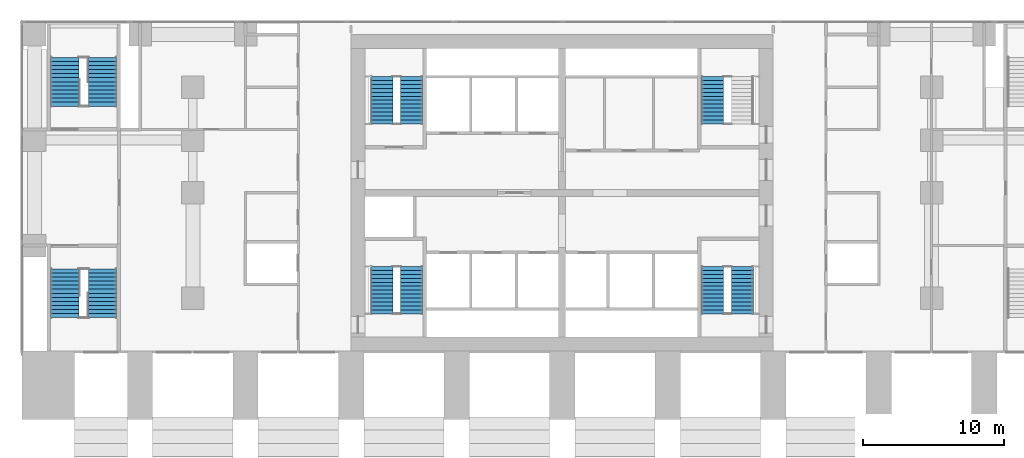
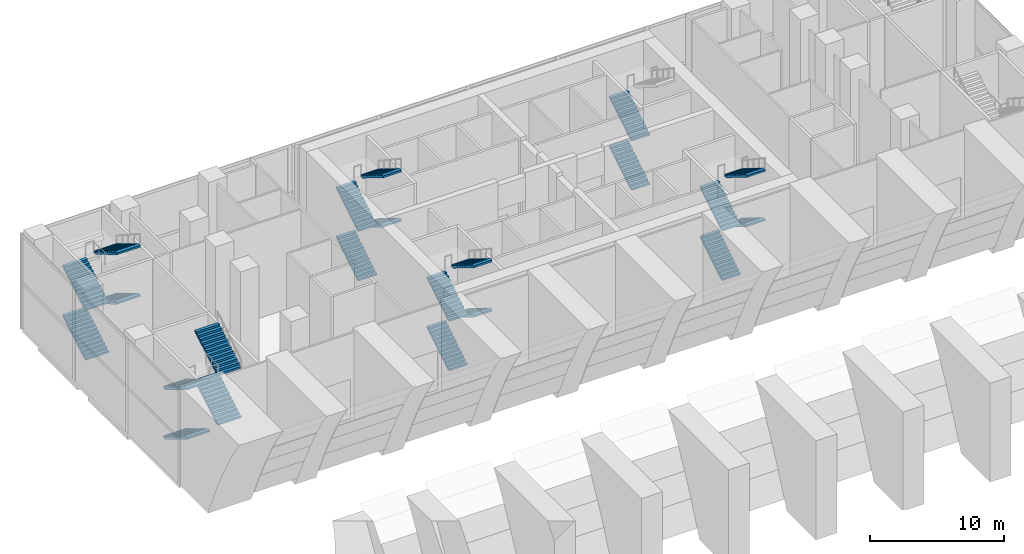
# One storey, part 9 of 14: 22 stair flights, 6 elements without a shape of their own.
"""IFC4 building model written with IfcOpenShell, lengths in metres."""

import ifcopenshell
import ifcopenshell.guid

model = None  # the IFC model being written
_history = None  # IfcOwnerHistory: only IFC2X3 demands one
_inside = {}  # id of a spatial element -> (the spatial element, [elements in it])
_under = {}  # id of a project, library or spatial element -> (it, [spatial elements below it])
_declared = {}  # id of a project -> (the project, [libraries it declares])
_typed = {}  # id of a type object -> (the type object, [elements of that type])
_made_of = {}  # id of a material, layer set ... -> (it, [elements and type objects made of it])


def new_model(schema):
    """Start an empty IFC model of exactly this schema.

    Asked for "IFC4X3", IfcOpenShell would pick the latest addendum, in which some entities
    have other attributes; the version numbers below select the first issue.
    IFC2X3 requires an IfcOwnerHistory on every rooted entity: one is made here for all.
    """
    global model, _history
    if schema == "IFC4X3":
        model = ifcopenshell.file(schema_version=(4, 3, 0, 0))
    else:
        model = ifcopenshell.file(schema=schema)
    _inside.clear()
    _under.clear()
    _declared.clear()
    _typed.clear()
    _made_of.clear()
    _history = None
    if model.schema == "IFC2X3":
        org = make("IfcOrganization", Name="unknown")
        user = make(
            "IfcPersonAndOrganization",
            ThePerson=make("IfcPerson", FamilyName="unknown"),
            TheOrganization=org,
        )
        app = make(
            "IfcApplication",
            ApplicationDeveloper=org,
            Version="unknown",
            ApplicationFullName="unknown",
            ApplicationIdentifier="unknown",
        )
        _history = make(
            "IfcOwnerHistory",
            OwningUser=user,
            OwningApplication=app,
            ChangeAction="ADDED",
            CreationDate=0,
        )
    return model


def make(cls, **values):
    """One entity of the class cls with the attributes given. An attribute that is None is left unset."""
    return model.create_entity(
        cls, **{name: value for name, value in values.items() if value is not None}
    )


def rooted(cls, **values):
    """An entity with a GlobalId (a new one), such as an element, a storey or a relation."""
    return make(cls, GlobalId=ifcopenshell.guid.new(), OwnerHistory=_history, **values)


def si_unit(unit_type, name, prefix=None):
    """IfcSIUnit, for example si_unit("LENGTHUNIT", "METRE", prefix="MILLI")."""
    return make("IfcSIUnit", UnitType=unit_type, Prefix=prefix, Name=name)


def assignment(units):
    """IfcUnitAssignment: the units of a project."""
    return None if units is None else make("IfcUnitAssignment", Units=units)


def point(xyz):
    """IfcCartesianPoint."""
    return None if xyz is None else make("IfcCartesianPoint", Coordinates=xyz)


def direction(xyz):
    """IfcDirection."""
    return None if xyz is None else make("IfcDirection", DirectionRatios=xyz)


def frame(location, z_axis=None, x_axis=None):
    """IfcAxis2Placement3D, a coordinate frame: its origin and axes. An axis left out is left unset."""
    return make(
        "IfcAxis2Placement3D",
        Location=point(location),
        Axis=direction(z_axis),
        RefDirection=direction(x_axis),
    )


def origin():
    """The frame at (0, 0, 0) with its axes left unset."""
    return frame((0.0, 0.0, 0.0))


def place(relative_to, where):
    """IfcLocalPlacement: puts the frame where relative to a parent placement (None: the world)."""
    return make(
        "IfcLocalPlacement", PlacementRelTo=relative_to, RelativePlacement=where
    )


def context(
    kind, dimensions, precision=None, world=None, true_north=None, identifier=None
):
    """IfcGeometricRepresentationContext, for example the 3D "Model" context."""
    return make(
        "IfcGeometricRepresentationContext",
        ContextIdentifier=identifier,
        ContextType=kind,
        CoordinateSpaceDimension=dimensions,
        Precision=precision,
        WorldCoordinateSystem=world,
        TrueNorth=true_north,
    )


def subcontext(parent, identifier, kind, view, scale=None):
    """IfcGeometricRepresentationSubContext, for example "Body" below "Model"."""
    return make(
        "IfcGeometricRepresentationSubContext",
        ContextIdentifier=identifier,
        ContextType=kind,
        ParentContext=parent,
        TargetScale=scale,
        TargetView=view,
    )


def project(units=None, contexts=None):
    """IfcProject with its units and contexts."""
    return rooted(
        "IfcProject",
        Name="project",
        RepresentationContexts=contexts,
        UnitsInContext=assignment(units),
    )


def spatial(cls, under=None, at=None, **own):
    """A site, building, storey or space (cls), placed at a placement, below another one or the project."""
    s = rooted(cls, ObjectPlacement=at, **own)
    if under is not None:
        _under.setdefault(under.id(), (under, []))[1].append(s)
    return s


def polyline(points):
    """IfcPolyline through the points."""
    return make("IfcPolyline", Points=[point(p) for p in points])


def outline(outer, holes=None, kind="AREA"):
    """IfcArbitraryClosedProfileDef: a profile drawn as a closed curve; with holes, ...WithVoids."""
    if holes is None:
        return make("IfcArbitraryClosedProfileDef", ProfileType=kind, OuterCurve=outer)
    return make(
        "IfcArbitraryProfileDefWithVoids",
        ProfileType=kind,
        OuterCurve=outer,
        InnerCurves=holes,
    )


def extrude(swept, where, along, depth):
    """IfcExtrudedAreaSolid: the profile swept, set in the frame where, extruded along a direction by depth."""
    return make(
        "IfcExtrudedAreaSolid",
        SweptArea=swept,
        Position=where,
        ExtrudedDirection=direction(along),
        Depth=depth,
    )


def shape(context_of_items, identifier, shape_type, items):
    """IfcShapeRepresentation: the items that make up one representation, for example the "Body"."""
    return make(
        "IfcShapeRepresentation",
        ContextOfItems=context_of_items,
        RepresentationIdentifier=identifier,
        RepresentationType=shape_type,
        Items=items,
    )


def material(Name=None, Category=None):
    """IfcMaterial."""
    return make("IfcMaterial", Name=Name, Category=Category)


def made_of(thing, what):
    """Note that an element or type object is made of a material, layer set ...; save() writes the relation."""
    if what is not None:
        _made_of.setdefault(what.id(), (what, []))[1].append(thing)
    return thing


def type_object(cls, material=None, **own):
    """A type object (cls), such as IfcWallType, which elements share."""
    return made_of(rooted(cls, **own), material)


def element(
    cls,
    number,
    at=None,
    inside=None,
    cuts=None,
    type_object=None,
    material=None,
    context=None,
    identifier="Body",
    shape_type=None,
    held_by="IfcProductDefinitionShape",
    body=None,
    shapes=None,
    **own,
):
    """One element of the class cls, such as IfcWall. Its Tag is "e" and its number.

    at: its placement. inside: the storey or other place that contains it. cuts: it is an
    opening in that element (IfcRelVoidsElement). A single representation is given by context,
    identifier, shape_type and body (its items); several are given by shapes. held_by: the class
    of the entity that holds the representations. save() writes the other relations.
    """
    e = rooted(cls, Tag="e%d" % number, ObjectPlacement=at, **own)
    if body is not None:
        shapes = [shape(context, identifier, shape_type, body)]
    if shapes is not None:
        e.Representation = make(held_by, Representations=shapes)
    if inside is not None:
        _inside.setdefault(inside.id(), (inside, []))[1].append(e)
    if cuts is not None:
        rooted(
            "IfcRelVoidsElement", RelatingBuildingElement=cuts, RelatedOpeningElement=e
        )
    if type_object is not None:
        _typed.setdefault(type_object.id(), (type_object, []))[1].append(e)
    return made_of(e, material)


def aggregate(whole, parts):
    """IfcRelAggregates: a whole, such as a stair, and the parts it consists of."""
    return rooted("IfcRelAggregates", RelatingObject=whole, RelatedObjects=parts)


def save(model, path):
    """Write the relations noted so far, then the file.

    IfcRelAggregates (storeys below a building ...), IfcRelContainedInSpatialStructure (elements
    in a storey), IfcRelDefinesByType, IfcRelAssociatesMaterial and IfcRelDeclares: one each for
    every whole, place, type object, material and project.
    """
    for whole, parts in _under.values():
        aggregate(whole, parts)
    for where, things in _inside.values():
        rooted(
            "IfcRelContainedInSpatialStructure",
            RelatedElements=things,
            RelatingStructure=where,
        )
    for kind, things in _typed.values():
        rooted("IfcRelDefinesByType", RelatedObjects=things, RelatingType=kind)
    for what, things in _made_of.values():
        rooted("IfcRelAssociatesMaterial", RelatedObjects=things, RelatingMaterial=what)
    for by, libraries in _declared.values():
        rooted("IfcRelDeclares", RelatingContext=by, RelatedDefinitions=libraries)
    model.write(path)


model = new_model("IFC4")

# Units and contexts
model_context = context("Model", 3, precision=1e-05, world=origin(), true_north=direction((0.0, 1.0)))
body_context = subcontext(model_context, "Body", "Model", "MODEL_VIEW")
ifc_project = project(units=[si_unit("LENGTHUNIT", "METRE"), si_unit("AREAUNIT", "SQUARE_METRE"), si_unit("VOLUMEUNIT", "CUBIC_METRE"), si_unit("PLANEANGLEUNIT", "RADIAN"), si_unit("MASSUNIT", "GRAM", prefix="KILO")], contexts=[model_context])

# Site, building, storey
site_placement = place(None, origin())
site = spatial("IfcSite", under=ifc_project, at=site_placement, CompositionType="ELEMENT")
building_placement = place(site_placement, origin())
building = spatial("IfcBuilding", under=site, at=building_placement, Name="Pilkhan Gate Tower", CompositionType="ELEMENT")
storey_placement = place(building_placement, frame((0.0, 0.0, 7.5)))
storey = spatial("IfcBuildingStorey", under=building, at=storey_placement, Name="L01", CompositionType="ELEMENT", Elevation=7.5)

# Stair, stair flights
ifc_material = material(Name="Concrete C40/50 precast", Category="concrete")
stair_type_1 = type_object("IfcStairType", Name="Stair PS1 173x290", PredefinedType="HALF_TURN_STAIR", material=ifc_material)
stair_1_placement = place(storey_placement, origin())
stair_1 = element("IfcStair", 1, at=stair_1_placement, inside=storey, type_object=stair_type_1, Name="Stair PS1 L01", PredefinedType="HALF_TURN_STAIR")
stair_flight_type_1 = type_object("IfcStairFlightType", Name="Stair flight PS1 173x290x13", PredefinedType="STRAIGHT", material=ifc_material)
stair_flight_1_placement = place(storey_placement, frame((39.64990234375, 88.64990234375, 0.0), z_axis=(0.0, 0.0, 1.0), x_axis=(0.0, 1.0, 0.0)))
stair_flight_1 = element("IfcStairFlight", 2, at=stair_flight_1_placement, type_object=stair_flight_type_1, Name="PS1 flight 1", NumberOfRisers=13, NumberOfTreads=12, PredefinedType="STRAIGHT", RiserHeight=0.173076923, TreadLength=0.29, context=body_context, shape_type="SweptSolid", body=[
    extrude(outline(polyline([(0.0, 0.0), (0.0, 0.173095703125), (0.2900390625, 0.173095703125), (0.2900390625, 0.34619140625), (0.580078125, 0.34619140625), (0.580078125, 0.519287109375), (0.8701171875, 0.519287109375), (0.8701171875, 0.6923828125), (1.159912109375, 0.6923828125), (1.159912109375, 0.865478515625), (1.449951171875, 0.865478515625), (1.449951171875, 1.03857421875), (1.739990234375, 1.03857421875), (1.739990234375, 1.21142578125), (2.030029296875, 1.21142578125), (2.030029296875, 1.384521484375), (2.320068359375, 1.384521484375), (2.320068359375, 1.5576171875), (2.610107421875, 1.5576171875), (2.610107421875, 1.730712890625), (2.89990234375, 1.730712890625), (2.89990234375, 1.90380859375), (3.18994140625, 1.90380859375), (3.18994140625, 2.076904296875), (3.47998046875, 2.076904296875), (3.47998046875, 2.25), (3.47998046875, 1.90234375), (0.29248046875, 0.0), (0.0, 0.0)])), frame((0.0, 1.0, 0.0), z_axis=(0.0, -1.0, 0.0), x_axis=(1.0, 0.0, 0.0)), (0.0, 0.0, 1.0), 2.0),
])
stair_flight_2_placement = place(storey_placement, frame((42.35009765625, 92.1298828125, 2.25), z_axis=(0.0, 0.0, 1.0), x_axis=(0.0, -1.0, 0.0)))
stair_flight_2 = element("IfcStairFlight", 3, at=stair_flight_2_placement, type_object=stair_flight_type_1, Name="PS1 flight 2", NumberOfRisers=13, NumberOfTreads=12, PredefinedType="STRAIGHT", RiserHeight=0.173076923, TreadLength=0.29, context=body_context, shape_type="SweptSolid", body=[
    extrude(outline(polyline([(0.0, 0.0), (0.0, 0.173095703125), (0.2900390625, 0.173095703125), (0.2900390625, 0.34619140625), (0.580078125, 0.34619140625), (0.580078125, 0.519287109375), (0.8701171875, 0.519287109375), (0.8701171875, 0.6923828125), (1.159912109375, 0.6923828125), (1.159912109375, 0.865478515625), (1.449951171875, 0.865478515625), (1.449951171875, 1.03857421875), (1.739990234375, 1.03857421875), (1.739990234375, 1.21142578125), (2.030029296875, 1.21142578125), (2.030029296875, 1.384521484375), (2.320068359375, 1.384521484375), (2.320068359375, 1.5576171875), (2.610107421875, 1.5576171875), (2.610107421875, 1.730712890625), (2.89990234375, 1.730712890625), (2.89990234375, 1.90380859375), (3.18994140625, 1.90380859375), (3.18994140625, 2.076904296875), (3.47998046875, 2.076904296875), (3.47998046875, 2.25), (3.47998046875, 1.90234375), (0.29248046875, 0.0), (0.0, 0.0)])), frame((0.0, 1.0, 0.0), z_axis=(0.0, -1.0, 0.0), x_axis=(1.0, 0.0, 0.0)), (0.0, 0.0, 1.0), 2.0),
])
stair_flight_3_placement = place(storey_placement, frame((39.64990234375, 88.64990234375, 4.5), z_axis=(0.0, 0.0, 1.0), x_axis=(0.0, 1.0, 0.0)))
stair_flight_3 = element("IfcStairFlight", 4, at=stair_flight_3_placement, type_object=stair_flight_type_1, Name="PS1 flight 3", NumberOfRisers=13, NumberOfTreads=12, PredefinedType="STRAIGHT", RiserHeight=0.173076923, TreadLength=0.29, context=body_context, shape_type="SweptSolid", body=[
    extrude(outline(polyline([(0.0, 0.0), (0.0, 0.173095703125), (0.2900390625, 0.173095703125), (0.2900390625, 0.34619140625), (0.580078125, 0.34619140625), (0.580078125, 0.519287109375), (0.8701171875, 0.519287109375), (0.8701171875, 0.6923828125), (1.159912109375, 0.6923828125), (1.159912109375, 0.865478515625), (1.449951171875, 0.865478515625), (1.449951171875, 1.03857421875), (1.739990234375, 1.03857421875), (1.739990234375, 1.21142578125), (2.030029296875, 1.21142578125), (2.030029296875, 1.384521484375), (2.320068359375, 1.384521484375), (2.320068359375, 1.5576171875), (2.610107421875, 1.5576171875), (2.610107421875, 1.730712890625), (2.89990234375, 1.730712890625), (2.89990234375, 1.90380859375), (3.18994140625, 1.90380859375), (3.18994140625, 2.076904296875), (3.47998046875, 2.076904296875), (3.47998046875, 2.25), (3.47998046875, 1.90234375), (0.29248046875, 0.0), (0.0, 0.0)])), frame((0.0, 1.0, 0.0), z_axis=(0.0, -1.0, 0.0), x_axis=(1.0, 0.0, 0.0)), (0.0, 0.0, 1.0), 2.0),
])
stair_flight_4_placement = place(storey_placement, frame((42.35009765625, 92.1298828125, 6.75), z_axis=(0.0, 0.0, 1.0), x_axis=(0.0, -1.0, 0.0)))
stair_flight_4 = element("IfcStairFlight", 5, at=stair_flight_4_placement, type_object=stair_flight_type_1, Name="PS1 flight 4", NumberOfRisers=13, NumberOfTreads=12, PredefinedType="STRAIGHT", RiserHeight=0.173076923, TreadLength=0.29, context=body_context, shape_type="SweptSolid", body=[
    extrude(outline(polyline([(0.0, 0.0), (0.0, 0.173095703125), (0.2900390625, 0.173095703125), (0.2900390625, 0.34619140625), (0.580078125, 0.34619140625), (0.580078125, 0.519287109375), (0.8701171875, 0.519287109375), (0.8701171875, 0.6923828125), (1.159912109375, 0.6923828125), (1.159912109375, 0.865478515625), (1.449951171875, 0.865478515625), (1.449951171875, 1.03857421875), (1.739990234375, 1.03857421875), (1.739990234375, 1.21142578125), (2.030029296875, 1.21142578125), (2.030029296875, 1.384521484375), (2.320068359375, 1.384521484375), (2.320068359375, 1.5576171875), (2.610107421875, 1.5576171875), (2.610107421875, 1.730712890625), (2.89990234375, 1.730712890625), (2.89990234375, 1.90380859375), (3.18994140625, 1.90380859375), (3.18994140625, 2.076904296875), (3.47998046875, 2.076904296875), (3.47998046875, 2.25), (3.47998046875, 1.90234375), (0.29248046875, 0.0), (0.0, 0.0)])), frame((0.0, 1.0, 0.0), z_axis=(0.0, -1.0, 0.0), x_axis=(1.0, 0.0, 0.0)), (0.0, 0.0, 1.0), 2.0),
])
aggregate(stair_1, [stair_flight_1, stair_flight_2, stair_flight_3, stair_flight_4])

stair_type_2 = type_object("IfcStairType", Name="Stair PS3 173x290", PredefinedType="HALF_TURN_STAIR", material=ifc_material)
stair_2_placement = place(storey_placement, origin())
stair_2 = element("IfcStair", 6, at=stair_2_placement, inside=storey, type_object=stair_type_2, Name="Stair PS3 L01", PredefinedType="HALF_TURN_STAIR")
stair_flight_type_2 = type_object("IfcStairFlightType", Name="Stair flight PS3 173x290x13", PredefinedType="STRAIGHT", material=ifc_material)
stair_flight_5_placement = place(storey_placement, frame((39.64990234375, 77.10009765625, 0.0), z_axis=(0.0, 0.0, 1.0), x_axis=(0.0, -1.0, 0.0)))
stair_flight_5 = element("IfcStairFlight", 7, at=stair_flight_5_placement, type_object=stair_flight_type_2, Name="PS3 flight 1", NumberOfRisers=13, NumberOfTreads=12, PredefinedType="STRAIGHT", RiserHeight=0.173076923, TreadLength=0.29, context=body_context, shape_type="SweptSolid", body=[
    extrude(outline(polyline([(0.0, 0.0), (0.0, 0.173095703125), (0.2900390625, 0.173095703125), (0.2900390625, 0.34619140625), (0.580078125, 0.34619140625), (0.580078125, 0.519287109375), (0.8701171875, 0.519287109375), (0.8701171875, 0.6923828125), (1.159912109375, 0.6923828125), (1.159912109375, 0.865478515625), (1.449951171875, 0.865478515625), (1.449951171875, 1.03857421875), (1.739990234375, 1.03857421875), (1.739990234375, 1.21142578125), (2.030029296875, 1.21142578125), (2.030029296875, 1.384521484375), (2.320068359375, 1.384521484375), (2.320068359375, 1.5576171875), (2.610107421875, 1.5576171875), (2.610107421875, 1.730712890625), (2.89990234375, 1.730712890625), (2.89990234375, 1.90380859375), (3.18994140625, 1.90380859375), (3.18994140625, 2.076904296875), (3.47998046875, 2.076904296875), (3.47998046875, 2.25), (3.47998046875, 1.90234375), (0.29248046875, 0.0), (0.0, 0.0)])), frame((0.0, 1.0, 0.0), z_axis=(0.0, -1.0, 0.0), x_axis=(1.0, 0.0, 0.0)), (0.0, 0.0, 1.0), 2.0),
])
stair_flight_6_placement = place(storey_placement, frame((42.35009765625, 73.6201171875, 2.25), z_axis=(0.0, 0.0, 1.0), x_axis=(0.0, 1.0, 0.0)))
stair_flight_6 = element("IfcStairFlight", 8, at=stair_flight_6_placement, type_object=stair_flight_type_2, Name="PS3 flight 2", NumberOfRisers=13, NumberOfTreads=12, PredefinedType="STRAIGHT", RiserHeight=0.173076923, TreadLength=0.29, context=body_context, shape_type="SweptSolid", body=[
    extrude(outline(polyline([(0.0, 0.0), (0.0, 0.173095703125), (0.2900390625, 0.173095703125), (0.2900390625, 0.34619140625), (0.580078125, 0.34619140625), (0.580078125, 0.519287109375), (0.8701171875, 0.519287109375), (0.8701171875, 0.6923828125), (1.159912109375, 0.6923828125), (1.159912109375, 0.865478515625), (1.449951171875, 0.865478515625), (1.449951171875, 1.03857421875), (1.739990234375, 1.03857421875), (1.739990234375, 1.21142578125), (2.030029296875, 1.21142578125), (2.030029296875, 1.384521484375), (2.320068359375, 1.384521484375), (2.320068359375, 1.5576171875), (2.610107421875, 1.5576171875), (2.610107421875, 1.730712890625), (2.89990234375, 1.730712890625), (2.89990234375, 1.90380859375), (3.18994140625, 1.90380859375), (3.18994140625, 2.076904296875), (3.47998046875, 2.076904296875), (3.47998046875, 2.25), (3.47998046875, 1.90234375), (0.29248046875, 0.0), (0.0, 0.0)])), frame((0.0, 1.0, 0.0), z_axis=(0.0, -1.0, 0.0), x_axis=(1.0, 0.0, 0.0)), (0.0, 0.0, 1.0), 2.0),
])
stair_flight_7_placement = place(storey_placement, frame((39.64990234375, 77.10009765625, 4.5), z_axis=(0.0, 0.0, 1.0), x_axis=(0.0, -1.0, 0.0)))
stair_flight_7 = element("IfcStairFlight", 9, at=stair_flight_7_placement, type_object=stair_flight_type_2, Name="PS3 flight 3", NumberOfRisers=13, NumberOfTreads=12, PredefinedType="STRAIGHT", RiserHeight=0.173076923, TreadLength=0.29, context=body_context, shape_type="SweptSolid", body=[
    extrude(outline(polyline([(0.0, 0.0), (0.0, 0.173095703125), (0.2900390625, 0.173095703125), (0.2900390625, 0.34619140625), (0.580078125, 0.34619140625), (0.580078125, 0.519287109375), (0.8701171875, 0.519287109375), (0.8701171875, 0.6923828125), (1.159912109375, 0.6923828125), (1.159912109375, 0.865478515625), (1.449951171875, 0.865478515625), (1.449951171875, 1.03857421875), (1.739990234375, 1.03857421875), (1.739990234375, 1.21142578125), (2.030029296875, 1.21142578125), (2.030029296875, 1.384521484375), (2.320068359375, 1.384521484375), (2.320068359375, 1.5576171875), (2.610107421875, 1.5576171875), (2.610107421875, 1.730712890625), (2.89990234375, 1.730712890625), (2.89990234375, 1.90380859375), (3.18994140625, 1.90380859375), (3.18994140625, 2.076904296875), (3.47998046875, 2.076904296875), (3.47998046875, 2.25), (3.47998046875, 1.90234375), (0.29248046875, 0.0), (0.0, 0.0)])), frame((0.0, 1.0, 0.0), z_axis=(0.0, -1.0, 0.0), x_axis=(1.0, 0.0, 0.0)), (0.0, 0.0, 1.0), 2.0),
])
stair_flight_8_placement = place(storey_placement, frame((42.35009765625, 73.6201171875, 6.75), z_axis=(0.0, 0.0, 1.0), x_axis=(0.0, 1.0, 0.0)))
stair_flight_8 = element("IfcStairFlight", 10, at=stair_flight_8_placement, type_object=stair_flight_type_2, Name="PS3 flight 4", NumberOfRisers=13, NumberOfTreads=12, PredefinedType="STRAIGHT", RiserHeight=0.173076923, TreadLength=0.29, context=body_context, shape_type="SweptSolid", body=[
    extrude(outline(polyline([(0.0, 0.0), (0.0, 0.173095703125), (0.2900390625, 0.173095703125), (0.2900390625, 0.34619140625), (0.580078125, 0.34619140625), (0.580078125, 0.519287109375), (0.8701171875, 0.519287109375), (0.8701171875, 0.6923828125), (1.159912109375, 0.6923828125), (1.159912109375, 0.865478515625), (1.449951171875, 0.865478515625), (1.449951171875, 1.03857421875), (1.739990234375, 1.03857421875), (1.739990234375, 1.21142578125), (2.030029296875, 1.21142578125), (2.030029296875, 1.384521484375), (2.320068359375, 1.384521484375), (2.320068359375, 1.5576171875), (2.610107421875, 1.5576171875), (2.610107421875, 1.730712890625), (2.89990234375, 1.730712890625), (2.89990234375, 1.90380859375), (3.18994140625, 1.90380859375), (3.18994140625, 2.076904296875), (3.47998046875, 2.076904296875), (3.47998046875, 2.25), (3.47998046875, 1.90234375), (0.29248046875, 0.0), (0.0, 0.0)])), frame((0.0, 1.0, 0.0), z_axis=(0.0, -1.0, 0.0), x_axis=(1.0, 0.0, 0.0)), (0.0, 0.0, 1.0), 2.0),
])
aggregate(stair_2, [stair_flight_5, stair_flight_6, stair_flight_7, stair_flight_8])

stair_type_3 = type_object("IfcStairType", Name="Stair ST1 173x280", PredefinedType="HALF_TURN_STAIR", material=ifc_material)
stair_3_placement = place(storey_placement, origin())
stair_3 = element("IfcStair", 11, at=stair_3_placement, inside=storey, type_object=stair_type_3, Name="Stair ST1 L01", PredefinedType="HALF_TURN_STAIR")
stair_flight_type_3 = type_object("IfcStairFlightType", Name="Stair flight ST1 173x280x13", PredefinedType="STRAIGHT", material=ifc_material)
stair_flight_9_placement = place(storey_placement, frame((85.68994140625, 73.89990234375, 0.0), z_axis=(0.0, 0.0, 1.0), x_axis=(0.0, 1.0, 0.0)))
stair_flight_9 = element("IfcStairFlight", 12, at=stair_flight_9_placement, type_object=stair_flight_type_3, Name="ST1 flight 1", NumberOfRisers=13, NumberOfTreads=12, PredefinedType="STRAIGHT", RiserHeight=0.173076923, TreadLength=0.28, context=body_context, shape_type="SweptSolid", body=[
    extrude(outline(polyline([(0.0, 0.0), (0.0, 0.173095703125), (0.280029296875, 0.173095703125), (0.280029296875, 0.34619140625), (0.56005859375, 0.34619140625), (0.56005859375, 0.519287109375), (0.840087890625, 0.519287109375), (0.840087890625, 0.6923828125), (1.1201171875, 0.6923828125), (1.1201171875, 0.865478515625), (1.39990234375, 0.865478515625), (1.39990234375, 1.03857421875), (1.679931640625, 1.03857421875), (1.679931640625, 1.21142578125), (1.9599609375, 1.21142578125), (1.9599609375, 1.384521484375), (2.239990234375, 1.384521484375), (2.239990234375, 1.5576171875), (2.52001953125, 1.5576171875), (2.52001953125, 1.730712890625), (2.800048828125, 1.730712890625), (2.800048828125, 1.90380859375), (3.080078125, 1.90380859375), (3.080078125, 2.076904296875), (3.360107421875, 2.076904296875), (3.360107421875, 2.25), (3.360107421875, 1.900634765625), (0.28515625, 0.0), (0.0, 0.0)])), frame((0.0, 0.7900390625, 0.0), z_axis=(0.0, -1.0, 0.0), x_axis=(1.0, 0.0, 0.0)), (0.0, 0.0, 1.0), 1.580078125),
])
stair_flight_10_placement = place(storey_placement, frame((87.81005859375, 77.260009765625, 2.25), z_axis=(0.0, 0.0, 1.0), x_axis=(0.0, -1.0, 0.0)))
stair_flight_10 = element("IfcStairFlight", 13, at=stair_flight_10_placement, type_object=stair_flight_type_3, Name="ST1 flight 2", NumberOfRisers=13, NumberOfTreads=12, PredefinedType="STRAIGHT", RiserHeight=0.173076923, TreadLength=0.28, context=body_context, shape_type="SweptSolid", body=[
    extrude(outline(polyline([(0.0, 0.0), (0.0, 0.173095703125), (0.280029296875, 0.173095703125), (0.280029296875, 0.34619140625), (0.56005859375, 0.34619140625), (0.56005859375, 0.519287109375), (0.840087890625, 0.519287109375), (0.840087890625, 0.6923828125), (1.1201171875, 0.6923828125), (1.1201171875, 0.865478515625), (1.39990234375, 0.865478515625), (1.39990234375, 1.03857421875), (1.679931640625, 1.03857421875), (1.679931640625, 1.21142578125), (1.9599609375, 1.21142578125), (1.9599609375, 1.384521484375), (2.239990234375, 1.384521484375), (2.239990234375, 1.5576171875), (2.52001953125, 1.5576171875), (2.52001953125, 1.730712890625), (2.800048828125, 1.730712890625), (2.800048828125, 1.90380859375), (3.080078125, 1.90380859375), (3.080078125, 2.076904296875), (3.360107421875, 2.076904296875), (3.360107421875, 2.25), (3.360107421875, 1.900634765625), (0.28515625, 0.0), (0.0, 0.0)])), frame((0.0, 0.7900390625, 0.0), z_axis=(0.0, -1.0, 0.0), x_axis=(1.0, 0.0, 0.0)), (0.0, 0.0, 1.0), 1.580078125),
])
stair_flight_11_placement = place(storey_placement, frame((85.68994140625, 73.89990234375, 4.5), z_axis=(0.0, 0.0, 1.0), x_axis=(0.0, 1.0, 0.0)))
stair_flight_11 = element("IfcStairFlight", 14, at=stair_flight_11_placement, type_object=stair_flight_type_3, Name="ST1 flight 3", NumberOfRisers=13, NumberOfTreads=12, PredefinedType="STRAIGHT", RiserHeight=0.173076923, TreadLength=0.28, context=body_context, shape_type="SweptSolid", body=[
    extrude(outline(polyline([(0.0, 0.0), (0.0, 0.173095703125), (0.280029296875, 0.173095703125), (0.280029296875, 0.34619140625), (0.56005859375, 0.34619140625), (0.56005859375, 0.519287109375), (0.840087890625, 0.519287109375), (0.840087890625, 0.6923828125), (1.1201171875, 0.6923828125), (1.1201171875, 0.865478515625), (1.39990234375, 0.865478515625), (1.39990234375, 1.03857421875), (1.679931640625, 1.03857421875), (1.679931640625, 1.21142578125), (1.9599609375, 1.21142578125), (1.9599609375, 1.384521484375), (2.239990234375, 1.384521484375), (2.239990234375, 1.5576171875), (2.52001953125, 1.5576171875), (2.52001953125, 1.730712890625), (2.800048828125, 1.730712890625), (2.800048828125, 1.90380859375), (3.080078125, 1.90380859375), (3.080078125, 2.076904296875), (3.360107421875, 2.076904296875), (3.360107421875, 2.25), (3.360107421875, 1.900634765625), (0.28515625, 0.0), (0.0, 0.0)])), frame((0.0, 0.7900390625, 0.0), z_axis=(0.0, -1.0, 0.0), x_axis=(1.0, 0.0, 0.0)), (0.0, 0.0, 1.0), 1.580078125),
])
stair_flight_12_placement = place(storey_placement, frame((87.81005859375, 77.260009765625, 6.75), z_axis=(0.0, 0.0, 1.0), x_axis=(0.0, -1.0, 0.0)))
stair_flight_12 = element("IfcStairFlight", 15, at=stair_flight_12_placement, type_object=stair_flight_type_3, Name="ST1 flight 4", NumberOfRisers=13, NumberOfTreads=12, PredefinedType="STRAIGHT", RiserHeight=0.173076923, TreadLength=0.28, context=body_context, shape_type="SweptSolid", body=[
    extrude(outline(polyline([(0.0, 0.0), (0.0, 0.173095703125), (0.280029296875, 0.173095703125), (0.280029296875, 0.34619140625), (0.56005859375, 0.34619140625), (0.56005859375, 0.519287109375), (0.840087890625, 0.519287109375), (0.840087890625, 0.6923828125), (1.1201171875, 0.6923828125), (1.1201171875, 0.865478515625), (1.39990234375, 0.865478515625), (1.39990234375, 1.03857421875), (1.679931640625, 1.03857421875), (1.679931640625, 1.21142578125), (1.9599609375, 1.21142578125), (1.9599609375, 1.384521484375), (2.239990234375, 1.384521484375), (2.239990234375, 1.5576171875), (2.52001953125, 1.5576171875), (2.52001953125, 1.730712890625), (2.800048828125, 1.730712890625), (2.800048828125, 1.90380859375), (3.080078125, 1.90380859375), (3.080078125, 2.076904296875), (3.360107421875, 2.076904296875), (3.360107421875, 2.25), (3.360107421875, 1.900634765625), (0.28515625, 0.0), (0.0, 0.0)])), frame((0.0, 0.7900390625, 0.0), z_axis=(0.0, -1.0, 0.0), x_axis=(1.0, 0.0, 0.0)), (0.0, 0.0, 1.0), 1.580078125),
])
aggregate(stair_3, [stair_flight_9, stair_flight_10, stair_flight_11, stair_flight_12])

stair_type_4 = type_object("IfcStairType", Name="Stair ST2 173x280", PredefinedType="HALF_TURN_STAIR", material=ifc_material)
stair_4_placement = place(storey_placement, origin())
stair_4 = element("IfcStair", 16, at=stair_4_placement, inside=storey, type_object=stair_type_4, Name="Stair ST2 L01", PredefinedType="HALF_TURN_STAIR")
stair_flight_type_4 = type_object("IfcStairFlightType", Name="Stair flight ST2 173x280x13", PredefinedType="STRAIGHT", material=ifc_material)
stair_flight_13_placement = place(storey_placement, frame((62.18994140625, 73.89990234375, 0.0), z_axis=(0.0, 0.0, 1.0), x_axis=(0.0, 1.0, 0.0)))
stair_flight_13 = element("IfcStairFlight", 17, at=stair_flight_13_placement, type_object=stair_flight_type_4, Name="ST2 flight 1", NumberOfRisers=13, NumberOfTreads=12, PredefinedType="STRAIGHT", RiserHeight=0.173076923, TreadLength=0.28, context=body_context, shape_type="SweptSolid", body=[
    extrude(outline(polyline([(0.0, 0.0), (0.0, 0.173095703125), (0.280029296875, 0.173095703125), (0.280029296875, 0.34619140625), (0.56005859375, 0.34619140625), (0.56005859375, 0.519287109375), (0.840087890625, 0.519287109375), (0.840087890625, 0.6923828125), (1.1201171875, 0.6923828125), (1.1201171875, 0.865478515625), (1.39990234375, 0.865478515625), (1.39990234375, 1.03857421875), (1.679931640625, 1.03857421875), (1.679931640625, 1.21142578125), (1.9599609375, 1.21142578125), (1.9599609375, 1.384521484375), (2.239990234375, 1.384521484375), (2.239990234375, 1.5576171875), (2.52001953125, 1.5576171875), (2.52001953125, 1.730712890625), (2.800048828125, 1.730712890625), (2.800048828125, 1.90380859375), (3.080078125, 1.90380859375), (3.080078125, 2.076904296875), (3.360107421875, 2.076904296875), (3.360107421875, 2.25), (3.360107421875, 1.900634765625), (0.28515625, 0.0), (0.0, 0.0)])), frame((0.0, 0.7900390625, 0.0), z_axis=(0.0, -1.0, 0.0), x_axis=(1.0, 0.0, 0.0)), (0.0, 0.0, 1.0), 1.580078125),
])
stair_flight_14_placement = place(storey_placement, frame((64.31005859375, 77.260009765625, 2.25), z_axis=(0.0, 0.0, 1.0), x_axis=(0.0, -1.0, 0.0)))
stair_flight_14 = element("IfcStairFlight", 18, at=stair_flight_14_placement, type_object=stair_flight_type_4, Name="ST2 flight 2", NumberOfRisers=13, NumberOfTreads=12, PredefinedType="STRAIGHT", RiserHeight=0.173076923, TreadLength=0.28, context=body_context, shape_type="SweptSolid", body=[
    extrude(outline(polyline([(0.0, 0.0), (0.0, 0.173095703125), (0.280029296875, 0.173095703125), (0.280029296875, 0.34619140625), (0.56005859375, 0.34619140625), (0.56005859375, 0.519287109375), (0.840087890625, 0.519287109375), (0.840087890625, 0.6923828125), (1.1201171875, 0.6923828125), (1.1201171875, 0.865478515625), (1.39990234375, 0.865478515625), (1.39990234375, 1.03857421875), (1.679931640625, 1.03857421875), (1.679931640625, 1.21142578125), (1.9599609375, 1.21142578125), (1.9599609375, 1.384521484375), (2.239990234375, 1.384521484375), (2.239990234375, 1.5576171875), (2.52001953125, 1.5576171875), (2.52001953125, 1.730712890625), (2.800048828125, 1.730712890625), (2.800048828125, 1.90380859375), (3.080078125, 1.90380859375), (3.080078125, 2.076904296875), (3.360107421875, 2.076904296875), (3.360107421875, 2.25), (3.360107421875, 1.900634765625), (0.28515625, 0.0), (0.0, 0.0)])), frame((0.0, 0.7900390625, 0.0), z_axis=(0.0, -1.0, 0.0), x_axis=(1.0, 0.0, 0.0)), (0.0, 0.0, 1.0), 1.580078125),
])
stair_flight_15_placement = place(storey_placement, frame((62.18994140625, 73.89990234375, 4.5), z_axis=(0.0, 0.0, 1.0), x_axis=(0.0, 1.0, 0.0)))
stair_flight_15 = element("IfcStairFlight", 19, at=stair_flight_15_placement, type_object=stair_flight_type_4, Name="ST2 flight 3", NumberOfRisers=13, NumberOfTreads=12, PredefinedType="STRAIGHT", RiserHeight=0.173076923, TreadLength=0.28, context=body_context, shape_type="SweptSolid", body=[
    extrude(outline(polyline([(0.0, 0.0), (0.0, 0.173095703125), (0.280029296875, 0.173095703125), (0.280029296875, 0.34619140625), (0.56005859375, 0.34619140625), (0.56005859375, 0.519287109375), (0.840087890625, 0.519287109375), (0.840087890625, 0.6923828125), (1.1201171875, 0.6923828125), (1.1201171875, 0.865478515625), (1.39990234375, 0.865478515625), (1.39990234375, 1.03857421875), (1.679931640625, 1.03857421875), (1.679931640625, 1.21142578125), (1.9599609375, 1.21142578125), (1.9599609375, 1.384521484375), (2.239990234375, 1.384521484375), (2.239990234375, 1.5576171875), (2.52001953125, 1.5576171875), (2.52001953125, 1.730712890625), (2.800048828125, 1.730712890625), (2.800048828125, 1.90380859375), (3.080078125, 1.90380859375), (3.080078125, 2.076904296875), (3.360107421875, 2.076904296875), (3.360107421875, 2.25), (3.360107421875, 1.900634765625), (0.28515625, 0.0), (0.0, 0.0)])), frame((0.0, 0.7900390625, 0.0), z_axis=(0.0, -1.0, 0.0), x_axis=(1.0, 0.0, 0.0)), (0.0, 0.0, 1.0), 1.580078125),
])
stair_flight_16_placement = place(storey_placement, frame((64.31005859375, 77.260009765625, 6.75), z_axis=(0.0, 0.0, 1.0), x_axis=(0.0, -1.0, 0.0)))
stair_flight_16 = element("IfcStairFlight", 20, at=stair_flight_16_placement, type_object=stair_flight_type_4, Name="ST2 flight 4", NumberOfRisers=13, NumberOfTreads=12, PredefinedType="STRAIGHT", RiserHeight=0.173076923, TreadLength=0.28, context=body_context, shape_type="SweptSolid", body=[
    extrude(outline(polyline([(0.0, 0.0), (0.0, 0.173095703125), (0.280029296875, 0.173095703125), (0.280029296875, 0.34619140625), (0.56005859375, 0.34619140625), (0.56005859375, 0.519287109375), (0.840087890625, 0.519287109375), (0.840087890625, 0.6923828125), (1.1201171875, 0.6923828125), (1.1201171875, 0.865478515625), (1.39990234375, 0.865478515625), (1.39990234375, 1.03857421875), (1.679931640625, 1.03857421875), (1.679931640625, 1.21142578125), (1.9599609375, 1.21142578125), (1.9599609375, 1.384521484375), (2.239990234375, 1.384521484375), (2.239990234375, 1.5576171875), (2.52001953125, 1.5576171875), (2.52001953125, 1.730712890625), (2.800048828125, 1.730712890625), (2.800048828125, 1.90380859375), (3.080078125, 1.90380859375), (3.080078125, 2.076904296875), (3.360107421875, 2.076904296875), (3.360107421875, 2.25), (3.360107421875, 1.900634765625), (0.28515625, 0.0), (0.0, 0.0)])), frame((0.0, 0.7900390625, 0.0), z_axis=(0.0, -1.0, 0.0), x_axis=(1.0, 0.0, 0.0)), (0.0, 0.0, 1.0), 1.580078125),
])
aggregate(stair_4, [stair_flight_13, stair_flight_14, stair_flight_15, stair_flight_16])

stair_type_5 = type_object("IfcStairType", Name="Stair ST3 173x280", PredefinedType="HALF_TURN_STAIR", material=ifc_material)
stair_5_placement = place(storey_placement, origin())
stair_5 = element("IfcStair", 21, at=stair_5_placement, inside=storey, type_object=stair_type_5, Name="Stair ST3 L01", PredefinedType="HALF_TURN_STAIR")
stair_flight_type_5 = type_object("IfcStairFlightType", Name="Stair flight ST3 173x280x13", PredefinedType="STRAIGHT", material=ifc_material)
stair_flight_17_placement = place(storey_placement, frame((62.18994140625, 87.39990234375, 0.0), z_axis=(0.0, 0.0, 1.0), x_axis=(0.0, 1.0, 0.0)))
stair_flight_17 = element("IfcStairFlight", 22, at=stair_flight_17_placement, type_object=stair_flight_type_5, Name="ST3 flight 1", NumberOfRisers=13, NumberOfTreads=12, PredefinedType="STRAIGHT", RiserHeight=0.173076923, TreadLength=0.28, context=body_context, shape_type="SweptSolid", body=[
    extrude(outline(polyline([(0.0, 0.0), (0.0, 0.173095703125), (0.280029296875, 0.173095703125), (0.280029296875, 0.34619140625), (0.56005859375, 0.34619140625), (0.56005859375, 0.519287109375), (0.840087890625, 0.519287109375), (0.840087890625, 0.6923828125), (1.1201171875, 0.6923828125), (1.1201171875, 0.865478515625), (1.39990234375, 0.865478515625), (1.39990234375, 1.03857421875), (1.679931640625, 1.03857421875), (1.679931640625, 1.21142578125), (1.9599609375, 1.21142578125), (1.9599609375, 1.384521484375), (2.239990234375, 1.384521484375), (2.239990234375, 1.5576171875), (2.52001953125, 1.5576171875), (2.52001953125, 1.730712890625), (2.800048828125, 1.730712890625), (2.800048828125, 1.90380859375), (3.080078125, 1.90380859375), (3.080078125, 2.076904296875), (3.360107421875, 2.076904296875), (3.360107421875, 2.25), (3.360107421875, 1.900634765625), (0.28515625, 0.0), (0.0, 0.0)])), frame((0.0, 0.7900390625, 0.0), z_axis=(0.0, -1.0, 0.0), x_axis=(1.0, 0.0, 0.0)), (0.0, 0.0, 1.0), 1.580078125),
])
stair_flight_18_placement = place(storey_placement, frame((64.31005859375, 90.760009765625, 2.25), z_axis=(0.0, 0.0, 1.0), x_axis=(0.0, -1.0, 0.0)))
stair_flight_18 = element("IfcStairFlight", 23, at=stair_flight_18_placement, type_object=stair_flight_type_5, Name="ST3 flight 2", NumberOfRisers=13, NumberOfTreads=12, PredefinedType="STRAIGHT", RiserHeight=0.173076923, TreadLength=0.28, context=body_context, shape_type="SweptSolid", body=[
    extrude(outline(polyline([(0.0, 0.0), (0.0, 0.173095703125), (0.280029296875, 0.173095703125), (0.280029296875, 0.34619140625), (0.56005859375, 0.34619140625), (0.56005859375, 0.519287109375), (0.840087890625, 0.519287109375), (0.840087890625, 0.6923828125), (1.1201171875, 0.6923828125), (1.1201171875, 0.865478515625), (1.39990234375, 0.865478515625), (1.39990234375, 1.03857421875), (1.679931640625, 1.03857421875), (1.679931640625, 1.21142578125), (1.9599609375, 1.21142578125), (1.9599609375, 1.384521484375), (2.239990234375, 1.384521484375), (2.239990234375, 1.5576171875), (2.52001953125, 1.5576171875), (2.52001953125, 1.730712890625), (2.800048828125, 1.730712890625), (2.800048828125, 1.90380859375), (3.080078125, 1.90380859375), (3.080078125, 2.076904296875), (3.360107421875, 2.076904296875), (3.360107421875, 2.25), (3.360107421875, 1.900634765625), (0.28515625, 0.0), (0.0, 0.0)])), frame((0.0, 0.7900390625, 0.0), z_axis=(0.0, -1.0, 0.0), x_axis=(1.0, 0.0, 0.0)), (0.0, 0.0, 1.0), 1.580078125),
])
stair_flight_19_placement = place(storey_placement, frame((62.18994140625, 87.39990234375, 4.5), z_axis=(0.0, 0.0, 1.0), x_axis=(0.0, 1.0, 0.0)))
stair_flight_19 = element("IfcStairFlight", 24, at=stair_flight_19_placement, type_object=stair_flight_type_5, Name="ST3 flight 3", NumberOfRisers=13, NumberOfTreads=12, PredefinedType="STRAIGHT", RiserHeight=0.173076923, TreadLength=0.28, context=body_context, shape_type="SweptSolid", body=[
    extrude(outline(polyline([(0.0, 0.0), (0.0, 0.173095703125), (0.280029296875, 0.173095703125), (0.280029296875, 0.34619140625), (0.56005859375, 0.34619140625), (0.56005859375, 0.519287109375), (0.840087890625, 0.519287109375), (0.840087890625, 0.6923828125), (1.1201171875, 0.6923828125), (1.1201171875, 0.865478515625), (1.39990234375, 0.865478515625), (1.39990234375, 1.03857421875), (1.679931640625, 1.03857421875), (1.679931640625, 1.21142578125), (1.9599609375, 1.21142578125), (1.9599609375, 1.384521484375), (2.239990234375, 1.384521484375), (2.239990234375, 1.5576171875), (2.52001953125, 1.5576171875), (2.52001953125, 1.730712890625), (2.800048828125, 1.730712890625), (2.800048828125, 1.90380859375), (3.080078125, 1.90380859375), (3.080078125, 2.076904296875), (3.360107421875, 2.076904296875), (3.360107421875, 2.25), (3.360107421875, 1.900634765625), (0.28515625, 0.0), (0.0, 0.0)])), frame((0.0, 0.7900390625, 0.0), z_axis=(0.0, -1.0, 0.0), x_axis=(1.0, 0.0, 0.0)), (0.0, 0.0, 1.0), 1.580078125),
])
stair_flight_20_placement = place(storey_placement, frame((64.31005859375, 90.760009765625, 6.75), z_axis=(0.0, 0.0, 1.0), x_axis=(0.0, -1.0, 0.0)))
stair_flight_20 = element("IfcStairFlight", 25, at=stair_flight_20_placement, type_object=stair_flight_type_5, Name="ST3 flight 4", NumberOfRisers=13, NumberOfTreads=12, PredefinedType="STRAIGHT", RiserHeight=0.173076923, TreadLength=0.28, context=body_context, shape_type="SweptSolid", body=[
    extrude(outline(polyline([(0.0, 0.0), (0.0, 0.173095703125), (0.280029296875, 0.173095703125), (0.280029296875, 0.34619140625), (0.56005859375, 0.34619140625), (0.56005859375, 0.519287109375), (0.840087890625, 0.519287109375), (0.840087890625, 0.6923828125), (1.1201171875, 0.6923828125), (1.1201171875, 0.865478515625), (1.39990234375, 0.865478515625), (1.39990234375, 1.03857421875), (1.679931640625, 1.03857421875), (1.679931640625, 1.21142578125), (1.9599609375, 1.21142578125), (1.9599609375, 1.384521484375), (2.239990234375, 1.384521484375), (2.239990234375, 1.5576171875), (2.52001953125, 1.5576171875), (2.52001953125, 1.730712890625), (2.800048828125, 1.730712890625), (2.800048828125, 1.90380859375), (3.080078125, 1.90380859375), (3.080078125, 2.076904296875), (3.360107421875, 2.076904296875), (3.360107421875, 2.25), (3.360107421875, 1.900634765625), (0.28515625, 0.0), (0.0, 0.0)])), frame((0.0, 0.7900390625, 0.0), z_axis=(0.0, -1.0, 0.0), x_axis=(1.0, 0.0, 0.0)), (0.0, 0.0, 1.0), 1.580078125),
])
aggregate(stair_5, [stair_flight_17, stair_flight_18, stair_flight_19, stair_flight_20])

stair_type_6 = type_object("IfcStairType", Name="Stair ST4 173x280", PredefinedType="HALF_TURN_STAIR", material=ifc_material)
stair_6_placement = place(storey_placement, origin())
stair_6 = element("IfcStair", 26, at=stair_6_placement, inside=storey, type_object=stair_type_6, Name="Stair ST4 L01", PredefinedType="HALF_TURN_STAIR")
stair_flight_type_6 = type_object("IfcStairFlightType", Name="Stair flight ST4 173x280x13", PredefinedType="STRAIGHT", material=ifc_material)
stair_flight_21_placement = place(storey_placement, frame((85.68994140625, 87.39990234375, 0.0), z_axis=(0.0, 0.0, 1.0), x_axis=(0.0, 1.0, 0.0)))
stair_flight_21 = element("IfcStairFlight", 27, at=stair_flight_21_placement, type_object=stair_flight_type_6, Name="ST4 flight 1", NumberOfRisers=13, NumberOfTreads=12, PredefinedType="STRAIGHT", RiserHeight=0.173076923, TreadLength=0.28, context=body_context, shape_type="SweptSolid", body=[
    extrude(outline(polyline([(0.0, 0.0), (0.0, 0.173095703125), (0.280029296875, 0.173095703125), (0.280029296875, 0.34619140625), (0.56005859375, 0.34619140625), (0.56005859375, 0.519287109375), (0.840087890625, 0.519287109375), (0.840087890625, 0.6923828125), (1.1201171875, 0.6923828125), (1.1201171875, 0.865478515625), (1.39990234375, 0.865478515625), (1.39990234375, 1.03857421875), (1.679931640625, 1.03857421875), (1.679931640625, 1.21142578125), (1.9599609375, 1.21142578125), (1.9599609375, 1.384521484375), (2.239990234375, 1.384521484375), (2.239990234375, 1.5576171875), (2.52001953125, 1.5576171875), (2.52001953125, 1.730712890625), (2.800048828125, 1.730712890625), (2.800048828125, 1.90380859375), (3.080078125, 1.90380859375), (3.080078125, 2.076904296875), (3.360107421875, 2.076904296875), (3.360107421875, 2.25), (3.360107421875, 1.900634765625), (0.28515625, 0.0), (0.0, 0.0)])), frame((0.0, 0.7900390625, 0.0), z_axis=(0.0, -1.0, 0.0), x_axis=(1.0, 0.0, 0.0)), (0.0, 0.0, 1.0), 1.580078125),
])
stair_flight_22_placement = place(storey_placement, frame((85.68994140625, 87.39990234375, 4.5), z_axis=(0.0, 0.0, 1.0), x_axis=(0.0, 1.0, 0.0)))
stair_flight_22 = element("IfcStairFlight", 28, at=stair_flight_22_placement, type_object=stair_flight_type_6, Name="ST4 flight 3", NumberOfRisers=13, NumberOfTreads=12, PredefinedType="STRAIGHT", RiserHeight=0.173076923, TreadLength=0.28, context=body_context, shape_type="SweptSolid", body=[
    extrude(outline(polyline([(0.0, 0.0), (0.0, 0.173095703125), (0.280029296875, 0.173095703125), (0.280029296875, 0.34619140625), (0.56005859375, 0.34619140625), (0.56005859375, 0.519287109375), (0.840087890625, 0.519287109375), (0.840087890625, 0.6923828125), (1.1201171875, 0.6923828125), (1.1201171875, 0.865478515625), (1.39990234375, 0.865478515625), (1.39990234375, 1.03857421875), (1.679931640625, 1.03857421875), (1.679931640625, 1.21142578125), (1.9599609375, 1.21142578125), (1.9599609375, 1.384521484375), (2.239990234375, 1.384521484375), (2.239990234375, 1.5576171875), (2.52001953125, 1.5576171875), (2.52001953125, 1.730712890625), (2.800048828125, 1.730712890625), (2.800048828125, 1.90380859375), (3.080078125, 1.90380859375), (3.080078125, 2.076904296875), (3.360107421875, 2.076904296875), (3.360107421875, 2.25), (3.360107421875, 1.900634765625), (0.28515625, 0.0), (0.0, 0.0)])), frame((0.0, 0.7900390625, 0.0), z_axis=(0.0, -1.0, 0.0), x_axis=(1.0, 0.0, 0.0)), (0.0, 0.0, 1.0), 1.580078125),
])
aggregate(stair_6, [stair_flight_21, stair_flight_22])

save(model, "model.ifc")
